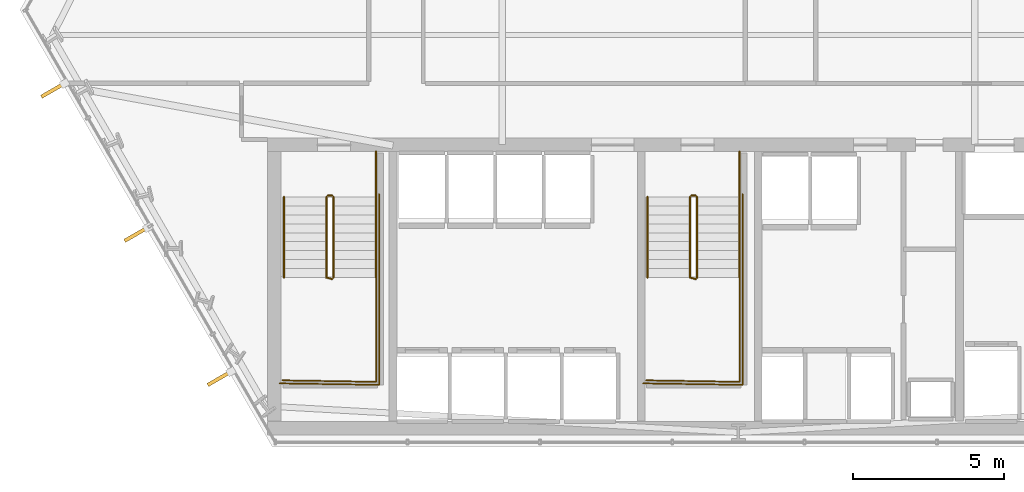
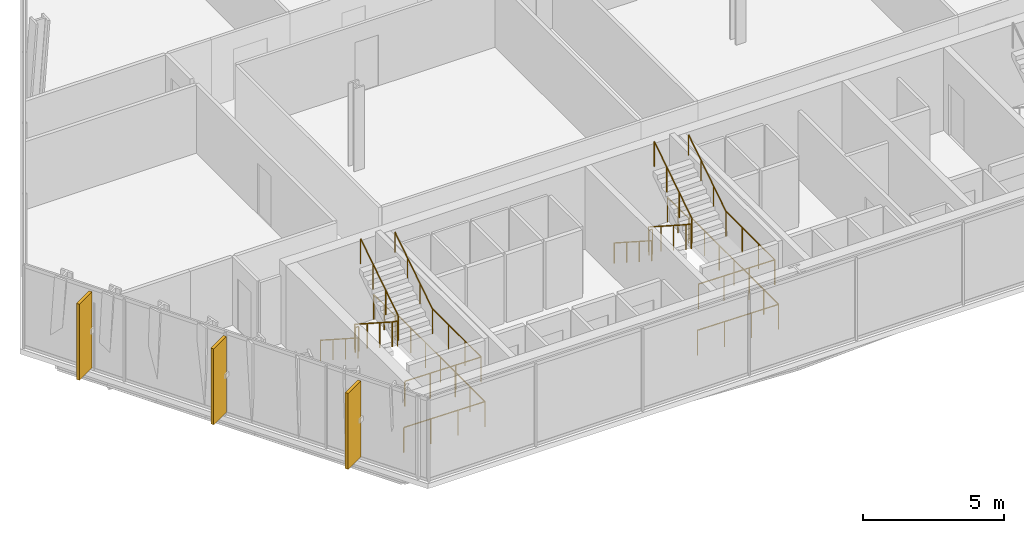
# One storey, part 30 of 33: 16 railings, 3 shading devices.
"""IFC4 building model written with IfcOpenShell, lengths in metres."""

from ifc_helpers import new_model, si_unit, direction, frame, origin, origin_2d, place, context, subcontext, project, spatial, rectangle, circle, extrude, material, layer, layer_set, type_object, element, save


model = new_model("IFC4")

# Units and contexts
model_context = context("Model", 3, precision=1e-05, world=origin(), true_north=direction((0.0, 1.0)))
body_context = subcontext(model_context, "Body", "Model", "MODEL_VIEW")
ifc_project = project(units=[si_unit("LENGTHUNIT", "METRE"), si_unit("AREAUNIT", "SQUARE_METRE"), si_unit("VOLUMEUNIT", "CUBIC_METRE"), si_unit("PLANEANGLEUNIT", "RADIAN"), si_unit("MASSUNIT", "GRAM", prefix="KILO")], contexts=[model_context])

# Site, building, storey
site_placement = place(None, origin())
site = spatial("IfcSite", under=ifc_project, at=site_placement, CompositionType="ELEMENT")
building_placement = place(site_placement, origin())
building = spatial("IfcBuilding", under=site, at=building_placement, Name="Ndaravel Arena Tower", CompositionType="ELEMENT")
storey_placement = place(building_placement, frame((0.0, 0.0, 43.60009765625)))
storey = spatial("IfcBuildingStorey", under=building, at=storey_placement, Name="L08", CompositionType="ELEMENT", Elevation=43.60009765625)

# Railings
ifc_material_1 = material(Name="Steel S355", Category="steel")
ifc_layer_1 = layer(ifc_material_1, 0.06005859375)
ifc_layer_set_1 = layer_set([ifc_layer_1], Name="Steel S355")
railing_type_1 = type_object("IfcRailingType", Name="RAIL-STAIR-GD1100", PredefinedType="GUARDRAIL", material=ifc_layer_set_1)
railing_1_placement = place(storey_placement, frame((28.39990234375, 13.25, 0.18994140625)))
element("IfcRailing", 1, at=railing_1_placement, inside=storey, type_object=railing_type_1, Name="L08 ST-1 stair guard 1", PredefinedType="GUARDRAIL", context=body_context, shape_type="SweptSolid", body=[
    extrude(circle(Radius=0.02392578125, at=origin_2d()), frame((0.0, 0.0, 1.076171875), z_axis=(0.0, -0.840723540582, 0.54146461409), x_axis=(1.0, 0.0, 0.0)), (0.0, 0.0, 1.0), 3.157958984375),
    extrude(circle(Radius=0.02392578125, at=origin_2d()), frame((0.0, -2.655029296875, 2.7861328125), z_axis=(0.967074537263, -0.25449329928, 0.0), x_axis=(0.25449329928, 0.967074537263, 0.0)), (0.0, 0.0, 1.0), 0.19677734375),
    extrude(circle(Radius=0.02099609375, at=origin_2d()), origin(), (0.0, 0.0, 1.0), 1.052001953125),
    extrude(circle(Radius=0.02099609375, at=origin_2d()), frame((0.0, -0.885009765625, 0.570068359375)), (0.0, 0.0, 1.0), 1.052001953125),
    extrude(circle(Radius=0.02099609375, at=origin_2d()), frame((0.0, -1.77001953125, 1.139892578125)), (0.0, 0.0, 1.0), 1.052001953125),
    extrude(circle(Radius=0.02099609375, at=origin_2d()), frame((0.0, -2.655029296875, 1.7099609375)), (0.0, 0.0, 1.0), 1.052001953125),
    extrude(circle(Radius=0.02099609375, at=origin_2d()), frame((0.190185546875, -2.705078125, 1.7099609375)), (0.0, 0.0, 1.0), 1.052001953125),
])
railing_2_placement = place(storey_placement, frame((30.0400390625, 10.594970703125, 1.89990234375)))
element("IfcRailing", 2, at=railing_2_placement, inside=storey, type_object=railing_type_1, Name="L08 ST-1 stair guard 2", PredefinedType="GUARDRAIL", context=body_context, shape_type="SweptSolid", body=[
    extrude(circle(Radius=0.02392578125, at=origin_2d()), frame((0.0, 0.0, 1.076171875), z_axis=(0.0, -1.0, 0.0), x_axis=(1.0, 0.0, 0.0)), (0.0, 0.0, 1.0), 3.445068359375),
    extrude(circle(Radius=0.02392578125, at=origin_2d()), frame((0.0, -3.445068359375, 1.076171875), z_axis=(-0.999868861343, 0.016194447071, 0.0), x_axis=(-0.016194447071, -0.999868861343, 0.0)), (0.0, 0.0, 1.0), 3.090576171875),
    extrude(circle(Radius=0.02099609375, at=origin_2d()), origin(), (0.0, 0.0, 1.0), 1.052001953125),
    extrude(circle(Radius=0.02099609375, at=origin_2d()), frame((0.0, -1.1484375, 0.0)), (0.0, 0.0, 1.0), 1.052001953125),
    extrude(circle(Radius=0.02099609375, at=origin_2d()), frame((0.0, -2.296630859375, 0.0)), (0.0, 0.0, 1.0), 1.052001953125),
    extrude(circle(Radius=0.02099609375, at=origin_2d()), frame((0.0, -3.445068359375, 0.0)), (0.0, 0.0, 1.0), 1.052001953125),
    extrude(circle(Radius=0.02099609375, at=origin_2d()), frame((-1.030029296875, -3.428466796875, 0.0)), (0.0, 0.0, 1.0), 1.052001953125),
    extrude(circle(Radius=0.02099609375, at=origin_2d()), frame((-2.06005859375, -3.41162109375, 0.0)), (0.0, 0.0, 1.0), 1.052001953125),
    extrude(circle(Radius=0.02099609375, at=origin_2d()), frame((-3.090087890625, -3.39501953125, 0.0)), (0.0, 0.0, 1.0), 1.052001953125),
])
railing_3_placement = place(storey_placement, frame((28.639892578125, 10.594970703125, 2.08984375)))
element("IfcRailing", 3, at=railing_3_placement, inside=storey, type_object=railing_type_1, Name="L08 ST-1 stair guard 3", PredefinedType="GUARDRAIL", context=body_context, shape_type="SweptSolid", body=[
    extrude(circle(Radius=0.02392578125, at=origin_2d()), frame((0.0, 0.0, 1.076171875), z_axis=(0.0, 0.840723540582, 0.54146461409), x_axis=(-1.0, 0.0, 0.0)), (0.0, 0.0, 1.0), 3.157958984375),
    extrude(circle(Radius=0.02099609375, at=origin_2d()), origin(), (0.0, 0.0, 1.0), 1.052001953125),
    extrude(circle(Radius=0.02099609375, at=origin_2d()), frame((0.0, 0.885009765625, 0.570068359375)), (0.0, 0.0, 1.0), 1.052001953125),
    extrude(circle(Radius=0.02099609375, at=origin_2d()), frame((0.0, 1.77001953125, 1.139892578125)), (0.0, 0.0, 1.0), 1.052001953125),
    extrude(circle(Radius=0.02099609375, at=origin_2d()), frame((0.0, 2.655029296875, 1.7099609375)), (0.0, 0.0, 1.0), 1.052001953125),
])
railing_4_placement = place(storey_placement, frame((28.449951171875, 13.300048828125, 0.0)))
element("IfcRailing", 4, at=railing_4_placement, inside=storey, type_object=railing_type_1, Name="L08 ST-1 stair guard 4", PredefinedType="GUARDRAIL", context=body_context, shape_type="SweptSolid", body=[
    extrude(circle(Radius=0.02392578125, at=origin_2d()), frame((0.0, 0.0, 1.076171875), z_axis=(1.0, 0.0, 0.0), x_axis=(0.0, 1.0, 0.0)), (0.0, 0.0, 1.0), 0.14013671875),
    extrude(circle(Radius=0.02099609375, at=origin_2d()), origin(), (0.0, 0.0, 1.0), 1.052001953125),
    extrude(circle(Radius=0.02099609375, at=origin_2d()), frame((0.14013671875, 0.0, 0.0)), (0.0, 0.0, 1.0), 1.052001953125),
])
railing_5_placement = place(storey_placement, frame((30.0400390625, 14.75, 0.0)))
element("IfcRailing", 5, at=railing_5_placement, inside=storey, type_object=railing_type_1, Name="L08 ST-1 stair guard 5", PredefinedType="GUARDRAIL", context=body_context, shape_type="SweptSolid", body=[
    extrude(circle(Radius=0.02392578125, at=origin_2d()), frame((0.0, 0.0, 1.076171875), z_axis=(0.0, -1.0, 0.0), x_axis=(1.0, 0.0, 0.0)), (0.0, 0.0, 1.0), 1.5),
    extrude(circle(Radius=0.02099609375, at=origin_2d()), origin(), (0.0, 0.0, 1.0), 1.052001953125),
    extrude(circle(Radius=0.02099609375, at=origin_2d()), frame((0.0, -0.75, 0.0)), (0.0, 0.0, 1.0), 1.052001953125),
    extrude(circle(Radius=0.02099609375, at=origin_2d()), frame((0.0, -1.5, 0.0)), (0.0, 0.0, 1.0), 1.052001953125),
])
railing_6_placement = place(storey_placement, frame((30.139892578125, 13.35009765625, 0.0)))
element("IfcRailing", 6, at=railing_6_placement, inside=storey, type_object=railing_type_1, Name="L08 ST-1 stair guard 6", PredefinedType="GUARDRAIL", context=body_context, shape_type="SweptSolid", body=[
    extrude(circle(Radius=0.02392578125, at=origin_2d()), frame((0.0, 0.0, 1.076171875), z_axis=(0.0, -1.0, 0.0), x_axis=(1.0, 0.0, 0.0)), (0.0, 0.0, 1.0), 6.300048828125),
    extrude(circle(Radius=0.02392578125, at=origin_2d()), frame((0.0, -6.300048828125, 1.076171875), z_axis=(-0.999884296952, 0.015211597839, 0.0), x_axis=(-0.015211597839, -0.999884296952, 0.0)), (0.0, 0.0, 1.0), 3.290283203125),
    extrude(circle(Radius=0.02099609375, at=origin_2d()), origin(), (0.0, 0.0, 1.0), 1.052001953125),
    extrude(circle(Radius=0.02099609375, at=origin_2d()), frame((0.0, -1.050048828125, 0.0)), (0.0, 0.0, 1.0), 1.052001953125),
    extrude(circle(Radius=0.02099609375, at=origin_2d()), frame((0.0, -2.10009765625, 0.0)), (0.0, 0.0, 1.0), 1.052001953125),
    extrude(circle(Radius=0.02099609375, at=origin_2d()), frame((0.0, -3.14990234375, 0.0)), (0.0, 0.0, 1.0), 1.052001953125),
    extrude(circle(Radius=0.02099609375, at=origin_2d()), frame((0.0, -4.199951171875, 0.0)), (0.0, 0.0, 1.0), 1.052001953125),
    extrude(circle(Radius=0.02099609375, at=origin_2d()), frame((0.0, -5.25, 0.0)), (0.0, 0.0, 1.0), 1.052001953125),
    extrude(circle(Radius=0.02099609375, at=origin_2d()), frame((0.0, -6.300048828125, 0.0)), (0.0, 0.0, 1.0), 1.052001953125),
    extrude(circle(Radius=0.02099609375, at=origin_2d()), frame((-1.0966796875, -6.283447265625, 0.0)), (0.0, 0.0, 1.0), 1.052001953125),
    extrude(circle(Radius=0.02099609375, at=origin_2d()), frame((-2.193115234375, -6.2666015625, 0.0)), (0.0, 0.0, 1.0), 1.052001953125),
    extrude(circle(Radius=0.02099609375, at=origin_2d()), frame((-3.289794921875, -6.25, 0.0)), (0.0, 0.0, 1.0), 1.052001953125),
])
railing_7_placement = place(storey_placement, frame((40.39990234375, 13.25, 0.18994140625)))
element("IfcRailing", 7, at=railing_7_placement, inside=storey, type_object=railing_type_1, Name="L08 ST-2 stair guard 1", PredefinedType="GUARDRAIL", context=body_context, shape_type="SweptSolid", body=[
    extrude(circle(Radius=0.02392578125, at=origin_2d()), frame((0.0, 0.0, 1.076171875), z_axis=(0.0, -0.840723540582, 0.54146461409), x_axis=(1.0, 0.0, 0.0)), (0.0, 0.0, 1.0), 3.157958984375),
    extrude(circle(Radius=0.02392578125, at=origin_2d()), frame((0.0, -2.655029296875, 2.7861328125), z_axis=(0.967074537263, -0.25449329928, 0.0), x_axis=(0.25449329928, 0.967074537263, 0.0)), (0.0, 0.0, 1.0), 0.19677734375),
    extrude(circle(Radius=0.02099609375, at=origin_2d()), origin(), (0.0, 0.0, 1.0), 1.052001953125),
    extrude(circle(Radius=0.02099609375, at=origin_2d()), frame((0.0, -0.885009765625, 0.570068359375)), (0.0, 0.0, 1.0), 1.052001953125),
    extrude(circle(Radius=0.02099609375, at=origin_2d()), frame((0.0, -1.77001953125, 1.139892578125)), (0.0, 0.0, 1.0), 1.052001953125),
    extrude(circle(Radius=0.02099609375, at=origin_2d()), frame((0.0, -2.655029296875, 1.7099609375)), (0.0, 0.0, 1.0), 1.052001953125),
    extrude(circle(Radius=0.02099609375, at=origin_2d()), frame((0.190185546875, -2.705078125, 1.7099609375)), (0.0, 0.0, 1.0), 1.052001953125),
])
railing_8_placement = place(storey_placement, frame((42.0400390625, 10.594970703125, 1.89990234375)))
element("IfcRailing", 8, at=railing_8_placement, inside=storey, type_object=railing_type_1, Name="L08 ST-2 stair guard 2", PredefinedType="GUARDRAIL", context=body_context, shape_type="SweptSolid", body=[
    extrude(circle(Radius=0.02392578125, at=origin_2d()), frame((0.0, 0.0, 1.076171875), z_axis=(0.0, -1.0, 0.0), x_axis=(1.0, 0.0, 0.0)), (0.0, 0.0, 1.0), 3.445068359375),
    extrude(circle(Radius=0.02392578125, at=origin_2d()), frame((0.0, -3.445068359375, 1.076171875), z_axis=(-0.999868861343, 0.016194447071, 0.0), x_axis=(-0.016194447071, -0.999868861343, 0.0)), (0.0, 0.0, 1.0), 3.090576171875),
    extrude(circle(Radius=0.02099609375, at=origin_2d()), origin(), (0.0, 0.0, 1.0), 1.052001953125),
    extrude(circle(Radius=0.02099609375, at=origin_2d()), frame((0.0, -1.1484375, 0.0)), (0.0, 0.0, 1.0), 1.052001953125),
    extrude(circle(Radius=0.02099609375, at=origin_2d()), frame((0.0, -2.296630859375, 0.0)), (0.0, 0.0, 1.0), 1.052001953125),
    extrude(circle(Radius=0.02099609375, at=origin_2d()), frame((0.0, -3.445068359375, 0.0)), (0.0, 0.0, 1.0), 1.052001953125),
    extrude(circle(Radius=0.02099609375, at=origin_2d()), frame((-1.030029296875, -3.428466796875, 0.0)), (0.0, 0.0, 1.0), 1.052001953125),
    extrude(circle(Radius=0.02099609375, at=origin_2d()), frame((-2.06005859375, -3.41162109375, 0.0)), (0.0, 0.0, 1.0), 1.052001953125),
    extrude(circle(Radius=0.02099609375, at=origin_2d()), frame((-3.090087890625, -3.39501953125, 0.0)), (0.0, 0.0, 1.0), 1.052001953125),
])
railing_9_placement = place(storey_placement, frame((40.639892578125, 10.594970703125, 2.08984375)))
element("IfcRailing", 9, at=railing_9_placement, inside=storey, type_object=railing_type_1, Name="L08 ST-2 stair guard 3", PredefinedType="GUARDRAIL", context=body_context, shape_type="SweptSolid", body=[
    extrude(circle(Radius=0.02392578125, at=origin_2d()), frame((0.0, 0.0, 1.076171875), z_axis=(0.0, 0.840723540582, 0.54146461409), x_axis=(-1.0, 0.0, 0.0)), (0.0, 0.0, 1.0), 3.157958984375),
    extrude(circle(Radius=0.02099609375, at=origin_2d()), origin(), (0.0, 0.0, 1.0), 1.052001953125),
    extrude(circle(Radius=0.02099609375, at=origin_2d()), frame((0.0, 0.885009765625, 0.570068359375)), (0.0, 0.0, 1.0), 1.052001953125),
    extrude(circle(Radius=0.02099609375, at=origin_2d()), frame((0.0, 1.77001953125, 1.139892578125)), (0.0, 0.0, 1.0), 1.052001953125),
    extrude(circle(Radius=0.02099609375, at=origin_2d()), frame((0.0, 2.655029296875, 1.7099609375)), (0.0, 0.0, 1.0), 1.052001953125),
])
railing_10_placement = place(storey_placement, frame((40.449951171875, 13.300048828125, 0.0)))
element("IfcRailing", 10, at=railing_10_placement, inside=storey, type_object=railing_type_1, Name="L08 ST-2 stair guard 4", PredefinedType="GUARDRAIL", context=body_context, shape_type="SweptSolid", body=[
    extrude(circle(Radius=0.02392578125, at=origin_2d()), frame((0.0, 0.0, 1.076171875), z_axis=(1.0, 0.0, 0.0), x_axis=(0.0, 1.0, 0.0)), (0.0, 0.0, 1.0), 0.14013671875),
    extrude(circle(Radius=0.02099609375, at=origin_2d()), origin(), (0.0, 0.0, 1.0), 1.052001953125),
    extrude(circle(Radius=0.02099609375, at=origin_2d()), frame((0.14013671875, 0.0, 0.0)), (0.0, 0.0, 1.0), 1.052001953125),
])
railing_11_placement = place(storey_placement, frame((42.0400390625, 14.75, 0.0)))
element("IfcRailing", 11, at=railing_11_placement, inside=storey, type_object=railing_type_1, Name="L08 ST-2 stair guard 5", PredefinedType="GUARDRAIL", context=body_context, shape_type="SweptSolid", body=[
    extrude(circle(Radius=0.02392578125, at=origin_2d()), frame((0.0, 0.0, 1.076171875), z_axis=(0.0, -1.0, 0.0), x_axis=(1.0, 0.0, 0.0)), (0.0, 0.0, 1.0), 1.5),
    extrude(circle(Radius=0.02099609375, at=origin_2d()), origin(), (0.0, 0.0, 1.0), 1.052001953125),
    extrude(circle(Radius=0.02099609375, at=origin_2d()), frame((0.0, -0.75, 0.0)), (0.0, 0.0, 1.0), 1.052001953125),
    extrude(circle(Radius=0.02099609375, at=origin_2d()), frame((0.0, -1.5, 0.0)), (0.0, 0.0, 1.0), 1.052001953125),
])
railing_12_placement = place(storey_placement, frame((42.139892578125, 13.35009765625, 0.0)))
element("IfcRailing", 12, at=railing_12_placement, inside=storey, type_object=railing_type_1, Name="L08 ST-2 stair guard 6", PredefinedType="GUARDRAIL", context=body_context, shape_type="SweptSolid", body=[
    extrude(circle(Radius=0.02392578125, at=origin_2d()), frame((0.0, 0.0, 1.076171875), z_axis=(0.0, -1.0, 0.0), x_axis=(1.0, 0.0, 0.0)), (0.0, 0.0, 1.0), 6.300048828125),
    extrude(circle(Radius=0.02392578125, at=origin_2d()), frame((0.0, -6.300048828125, 1.076171875), z_axis=(-0.999884296952, 0.015211597839, 0.0), x_axis=(-0.015211597839, -0.999884296952, 0.0)), (0.0, 0.0, 1.0), 3.290283203125),
    extrude(circle(Radius=0.02099609375, at=origin_2d()), origin(), (0.0, 0.0, 1.0), 1.052001953125),
    extrude(circle(Radius=0.02099609375, at=origin_2d()), frame((0.0, -1.050048828125, 0.0)), (0.0, 0.0, 1.0), 1.052001953125),
    extrude(circle(Radius=0.02099609375, at=origin_2d()), frame((0.0, -2.10009765625, 0.0)), (0.0, 0.0, 1.0), 1.052001953125),
    extrude(circle(Radius=0.02099609375, at=origin_2d()), frame((0.0, -3.14990234375, 0.0)), (0.0, 0.0, 1.0), 1.052001953125),
    extrude(circle(Radius=0.02099609375, at=origin_2d()), frame((0.0, -4.199951171875, 0.0)), (0.0, 0.0, 1.0), 1.052001953125),
    extrude(circle(Radius=0.02099609375, at=origin_2d()), frame((0.0, -5.25, 0.0)), (0.0, 0.0, 1.0), 1.052001953125),
    extrude(circle(Radius=0.02099609375, at=origin_2d()), frame((0.0, -6.300048828125, 0.0)), (0.0, 0.0, 1.0), 1.052001953125),
    extrude(circle(Radius=0.02099609375, at=origin_2d()), frame((-1.0966796875, -6.283447265625, 0.0)), (0.0, 0.0, 1.0), 1.052001953125),
    extrude(circle(Radius=0.02099609375, at=origin_2d()), frame((-2.193115234375, -6.2666015625, 0.0)), (0.0, 0.0, 1.0), 1.052001953125),
    extrude(circle(Radius=0.02099609375, at=origin_2d()), frame((-3.289794921875, -6.25, 0.0)), (0.0, 0.0, 1.0), 1.052001953125),
])
ifc_material_2 = material(Name="Steel S355", Category="steel")
ifc_layer_2 = layer(ifc_material_2, 0.050048828125)
ifc_layer_set_2 = layer_set([ifc_layer_2], Name="Steel S355")
railing_type_2 = type_object("IfcRailingType", Name="RAIL-STAIR-HR920", PredefinedType="HANDRAIL", material=ifc_layer_set_2)
railing_13_placement = place(storey_placement, frame((27.0, 13.25, 0.18994140625)))
element("IfcRailing", 13, at=railing_13_placement, inside=storey, type_object=railing_type_2, Name="L08 ST-1 stair handrail 1", PredefinedType="HANDRAIL", context=body_context, shape_type="SweptSolid", body=[
    extrude(circle(Radius=0.02392578125, at=origin_2d()), frame((0.0, 0.0, 0.8759765625), z_axis=(0.0, -0.840723540582, 0.54146461409), x_axis=(1.0, 0.0, 0.0)), (0.0, 0.0, 1.0), 3.157958984375),
    extrude(circle(Radius=0.02099609375, at=origin_2d()), origin(), (0.0, 0.0, 1.0), 0.851806640625),
    extrude(circle(Radius=0.02099609375, at=origin_2d()), frame((0.0, -0.885009765625, 0.570068359375)), (0.0, 0.0, 1.0), 0.851806640625),
    extrude(circle(Radius=0.02099609375, at=origin_2d()), frame((0.0, -1.77001953125, 1.139892578125)), (0.0, 0.0, 1.0), 0.851806640625),
    extrude(circle(Radius=0.02099609375, at=origin_2d()), frame((0.0, -2.655029296875, 1.7099609375)), (0.0, 0.0, 1.0), 0.851806640625),
])
railing_14_placement = place(storey_placement, frame((30.0400390625, 10.594970703125, 2.08984375)))
element("IfcRailing", 14, at=railing_14_placement, inside=storey, type_object=railing_type_2, Name="L08 ST-1 stair handrail 2", PredefinedType="HANDRAIL", context=body_context, shape_type="SweptSolid", body=[
    extrude(circle(Radius=0.02392578125, at=origin_2d()), frame((0.0, 0.0, 0.8759765625), z_axis=(0.0, 0.840723540582, 0.54146461409), x_axis=(-1.0, 0.0, 0.0)), (0.0, 0.0, 1.0), 3.157958984375),
    extrude(circle(Radius=0.02099609375, at=origin_2d()), origin(), (0.0, 0.0, 1.0), 0.851806640625),
    extrude(circle(Radius=0.02099609375, at=origin_2d()), frame((0.0, 0.885009765625, 0.570068359375)), (0.0, 0.0, 1.0), 0.851806640625),
    extrude(circle(Radius=0.02099609375, at=origin_2d()), frame((0.0, 1.77001953125, 1.139892578125)), (0.0, 0.0, 1.0), 0.851806640625),
    extrude(circle(Radius=0.02099609375, at=origin_2d()), frame((0.0, 2.655029296875, 1.7099609375)), (0.0, 0.0, 1.0), 0.851806640625),
])
railing_15_placement = place(storey_placement, frame((39.0, 13.25, 0.18994140625)))
element("IfcRailing", 15, at=railing_15_placement, inside=storey, type_object=railing_type_2, Name="L08 ST-2 stair handrail 1", PredefinedType="HANDRAIL", context=body_context, shape_type="SweptSolid", body=[
    extrude(circle(Radius=0.02392578125, at=origin_2d()), frame((0.0, 0.0, 0.8759765625), z_axis=(0.0, -0.840723540582, 0.54146461409), x_axis=(1.0, 0.0, 0.0)), (0.0, 0.0, 1.0), 3.157958984375),
    extrude(circle(Radius=0.02099609375, at=origin_2d()), origin(), (0.0, 0.0, 1.0), 0.851806640625),
    extrude(circle(Radius=0.02099609375, at=origin_2d()), frame((0.0, -0.885009765625, 0.570068359375)), (0.0, 0.0, 1.0), 0.851806640625),
    extrude(circle(Radius=0.02099609375, at=origin_2d()), frame((0.0, -1.77001953125, 1.139892578125)), (0.0, 0.0, 1.0), 0.851806640625),
    extrude(circle(Radius=0.02099609375, at=origin_2d()), frame((0.0, -2.655029296875, 1.7099609375)), (0.0, 0.0, 1.0), 0.851806640625),
])
railing_16_placement = place(storey_placement, frame((42.0400390625, 10.594970703125, 2.08984375)))
element("IfcRailing", 16, at=railing_16_placement, inside=storey, type_object=railing_type_2, Name="L08 ST-2 stair handrail 2", PredefinedType="HANDRAIL", context=body_context, shape_type="SweptSolid", body=[
    extrude(circle(Radius=0.02392578125, at=origin_2d()), frame((0.0, 0.0, 0.8759765625), z_axis=(0.0, 0.840723540582, 0.54146461409), x_axis=(-1.0, 0.0, 0.0)), (0.0, 0.0, 1.0), 3.157958984375),
    extrude(circle(Radius=0.02099609375, at=origin_2d()), origin(), (0.0, 0.0, 1.0), 0.851806640625),
    extrude(circle(Radius=0.02099609375, at=origin_2d()), frame((0.0, 0.885009765625, 0.570068359375)), (0.0, 0.0, 1.0), 0.851806640625),
    extrude(circle(Radius=0.02099609375, at=origin_2d()), frame((0.0, 1.77001953125, 1.139892578125)), (0.0, 0.0, 1.0), 0.851806640625),
    extrude(circle(Radius=0.02099609375, at=origin_2d()), frame((0.0, 2.655029296875, 1.7099609375)), (0.0, 0.0, 1.0), 0.851806640625),
])

# Shading devices
ifc_material_3 = material(Name="Masonry", Category="masonry")
shading_device_type = type_object("IfcShadingDeviceType", Name="SHD-MAZERAS-FIN", PredefinedType="SHUTTER", material=ifc_material_3)
for number, where, z_axis, x_axis, name in (
    (17, (19.3837890625, 16.78466796875, 0.14990234375), (0.0, 0.0, 1.0), (-0.866025403784, -0.5, 0.0), "L08 Mazeras Stone Solar Fin E6.1"),
    (18, (22.1298828125, 12.028076171875, 0.14990234375), (0.0, 0.0, 1.0), (-0.866025403784, -0.5, 0.0), "L08 Mazeras Stone Solar Fin E6.2"),
    (19, (24.876220703125, 7.271240234375, 0.14990234375), (0.0, 0.0, 1.0), (-0.866025403784, -0.5, 0.0), "L08 Mazeras Stone Solar Fin E6.3"),
):
    element("IfcShadingDevice", number, at=place(storey_placement, frame(where, z_axis=z_axis, x_axis=x_axis)), inside=storey, type_object=shading_device_type, Name=name, PredefinedType="SHUTTER", context=body_context, shape_type="SweptSolid", body=[
        extrude(rectangle(XDim=0.89990234375, YDim=0.1201171875, at=origin_2d()), origin(), (0.0, 0.0, 1.0), 3.280029296875),
    ])

save(model, "model.ifc")
